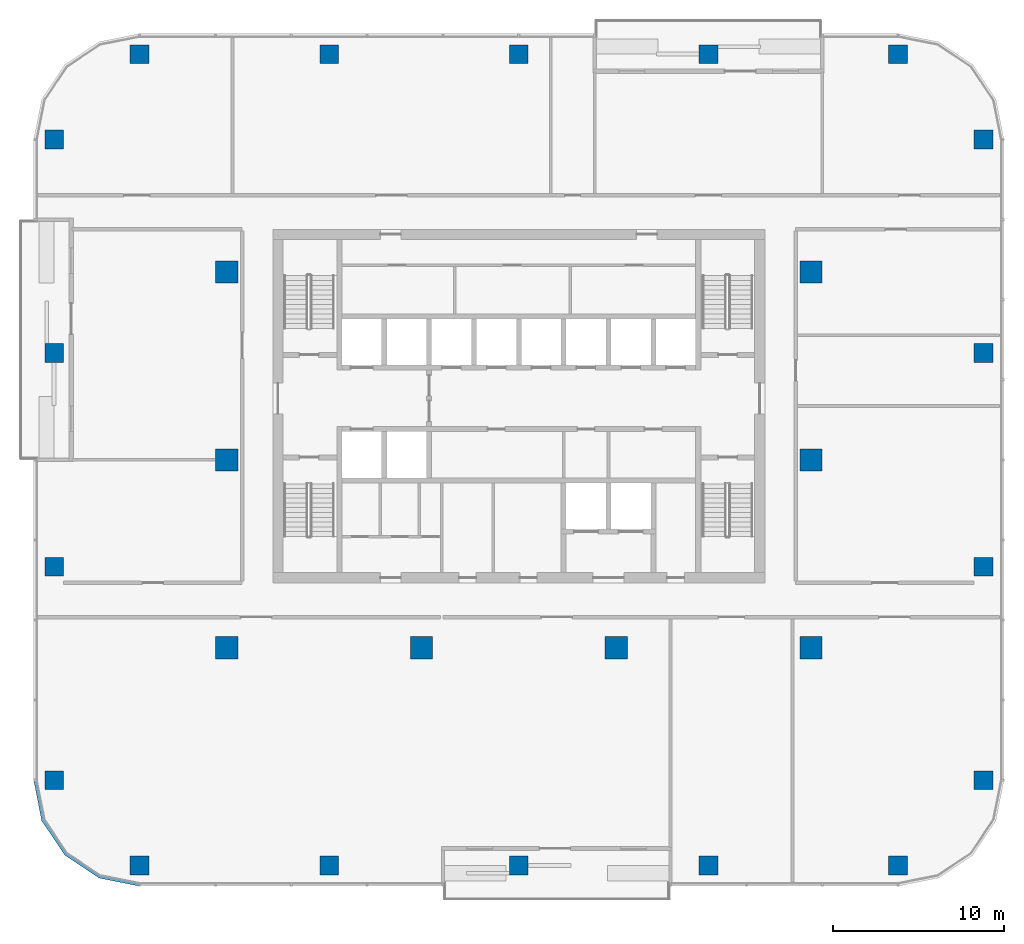
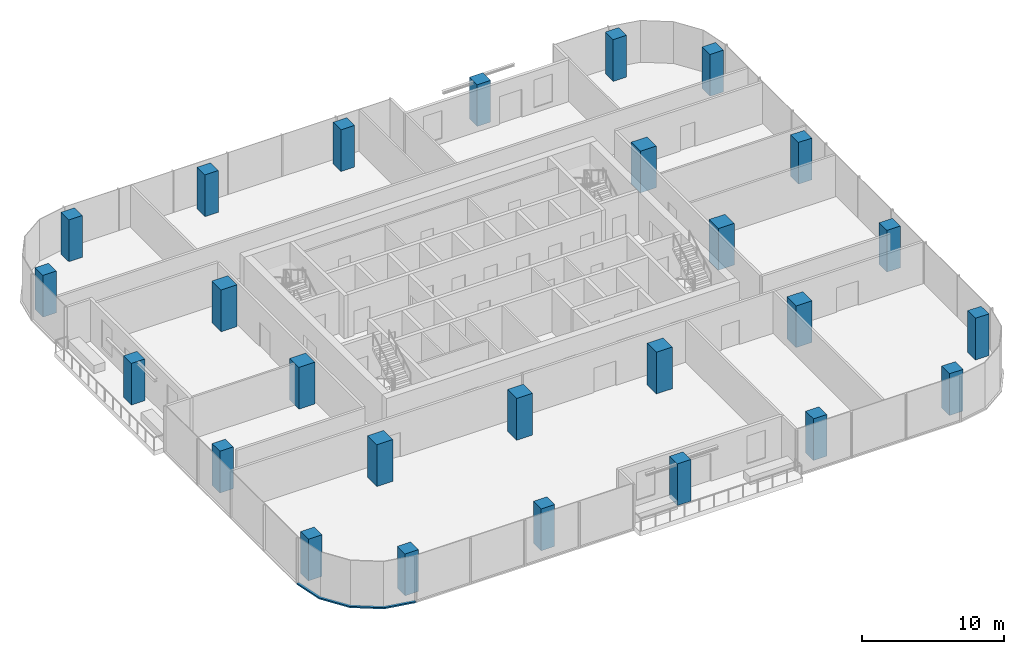
# One storey, part 1 of 14: 26 columns, 1 member, 1 element without a shape of its own.
"""IFC4 building model written with IfcOpenShell, lengths in metres."""

from ifc_helpers import new_model, si_unit, direction, frame, origin, origin_2d, place, context, subcontext, project, spatial, polyline, rectangle, outline, extrude, material, material_profile, profile_set, type_object, element, aggregate, save


model = new_model("IFC4")

# Units and contexts
model_context = context("Model", 3, precision=1e-05, world=origin(), true_north=direction((0.0, 1.0)))
body_context = subcontext(model_context, "Body", "Model", "MODEL_VIEW")
ifc_project = project(units=[si_unit("LENGTHUNIT", "METRE"), si_unit("AREAUNIT", "SQUARE_METRE"), si_unit("VOLUMEUNIT", "CUBIC_METRE"), si_unit("PLANEANGLEUNIT", "RADIAN"), si_unit("MASSUNIT", "GRAM", prefix="KILO")], contexts=[model_context])

# Site, building, storey
site_placement = place(None, origin())
site = spatial("IfcSite", under=ifc_project, at=site_placement, CompositionType="ELEMENT")
building_placement = place(site_placement, origin())
building = spatial("IfcBuilding", under=site, at=building_placement, Name="Mopane Tessera Tower", CompositionType="ELEMENT")
storey_placement = place(building_placement, frame((0.0, 0.0, 251.0)))
storey = spatial("IfcBuildingStorey", under=building, at=storey_placement, Name="L54", CompositionType="ELEMENT", Elevation=251.0)

# Columns
ifc_material_1 = material(Name="Concrete C50/60", Category="concrete")
ifc_material_profile_1 = material_profile(ifc_material_1, rectangle(XDim=1.300048828125, YDim=1.300048828125, at=origin_2d()))
ifc_profile_set_1 = profile_set([ifc_material_profile_1], Name="Concrete C50/60")
column_type_1 = type_object("IfcColumnType", Name="Interior column 1300 x 1300 C50/60", PredefinedType="COLUMN", material=ifc_profile_set_1)
for number, where, z_axis, x_axis, name in (
    (1, (-17.10009765625, -11.0, 0.0), (0.0, 0.0, 1.0), (1.0, 0.0, 0.0), "Interior column I1A L54"),
    (2, (-17.10009765625, 0.0, 0.0), (0.0, 0.0, 1.0), (1.0, 0.0, 0.0), "Interior column I1B L54"),
    (3, (-17.10009765625, 11.0, 0.0), (0.0, 0.0, 1.0), (1.0, 0.0, 0.0), "Interior column I1C L54"),
    (4, (-5.699951171875, -11.0, 0.0), (0.0, 0.0, 1.0), (1.0, 0.0, 0.0), "Interior column I2A L54"),
    (5, (5.699951171875, -11.0, 0.0), (0.0, 0.0, 1.0), (1.0, 0.0, 0.0), "Interior column I3A L54"),
    (6, (17.10009765625, -11.0, 0.0), (0.0, 0.0, 1.0), (1.0, 0.0, 0.0), "Interior column I4A L54"),
    (7, (17.10009765625, 0.0, 0.0), (0.0, 0.0, 1.0), (1.0, 0.0, 0.0), "Interior column I4B L54"),
    (8, (17.10009765625, 11.0, 0.0), (0.0, 0.0, 1.0), (1.0, 0.0, 0.0), "Interior column I4C L54"),
):
    element("IfcColumn", number, at=place(storey_placement, frame(where, z_axis=z_axis, x_axis=x_axis)), inside=storey, type_object=column_type_1, Name=name, PredefinedType="COLUMN", context=body_context, shape_type="SweptSolid", body=[
        extrude(rectangle(XDim=1.300048828125, YDim=1.300048828125, at=origin_2d()), origin(), (0.0, 0.0, 1.0), 3.60009765625),
    ])
ifc_material_2 = material(Name="Concrete C50/60", Category="concrete")
ifc_material_profile_2 = material_profile(ifc_material_2, rectangle(XDim=1.10009765625, YDim=1.10009765625, at=origin_2d()))
ifc_profile_set_2 = profile_set([ifc_material_profile_2], Name="Concrete C50/60")
column_type_2 = type_object("IfcColumnType", Name="Ring column 1100 x 1100 C50/60", PredefinedType="COLUMN", material=ifc_profile_set_2)
for number, where, z_axis, x_axis, name in (
    (9, (-22.199951171875, -23.75, 0.0), (0.0, 0.0, 1.0), (1.0, 0.0, 0.0), "Ring column S0 L54"),
    (10, (-11.10009765625, -23.75, 0.0), (0.0, 0.0, 1.0), (1.0, 0.0, 0.0), "Ring column S1 L54"),
    (11, (0.0, -23.75, 0.0), (0.0, 0.0, 1.0), (1.0, 0.0, 0.0), "Ring column S2 L54"),
    (12, (11.10009765625, -23.75, 0.0), (0.0, 0.0, 1.0), (1.0, 0.0, 0.0), "Ring column S3 L54"),
    (13, (22.199951171875, -23.75, 0.0), (0.0, 0.0, 1.0), (1.0, 0.0, 0.0), "Ring column S4 L54"),
    (14, (27.199951171875, -18.75, 0.0), (0.0, 0.0, 1.0), (1.0, 0.0, 0.0), "Ring column E0 L54"),
    (15, (27.199951171875, -6.25, 0.0), (0.0, 0.0, 1.0), (1.0, 0.0, 0.0), "Ring column E1 L54"),
    (16, (27.199951171875, 6.25, 0.0), (0.0, 0.0, 1.0), (1.0, 0.0, 0.0), "Ring column E2 L54"),
    (17, (27.199951171875, 18.75, 0.0), (0.0, 0.0, 1.0), (1.0, 0.0, 0.0), "Ring column E3 L54"),
    (18, (22.199951171875, 23.75, 0.0), (0.0, 0.0, 1.0), (1.0, 0.0, 0.0), "Ring column N0 L54"),
    (19, (11.10009765625, 23.75, 0.0), (0.0, 0.0, 1.0), (1.0, 0.0, 0.0), "Ring column N1 L54"),
    (20, (0.0, 23.75, 0.0), (0.0, 0.0, 1.0), (1.0, 0.0, 0.0), "Ring column N2 L54"),
    (21, (-11.10009765625, 23.75, 0.0), (0.0, 0.0, 1.0), (1.0, 0.0, 0.0), "Ring column N3 L54"),
    (22, (-22.199951171875, 23.75, 0.0), (0.0, 0.0, 1.0), (1.0, 0.0, 0.0), "Ring column N4 L54"),
    (23, (-27.199951171875, 18.75, 0.0), (0.0, 0.0, 1.0), (1.0, 0.0, 0.0), "Ring column W0 L54"),
    (24, (-27.199951171875, 6.25, 0.0), (0.0, 0.0, 1.0), (1.0, 0.0, 0.0), "Ring column W1 L54"),
    (25, (-27.199951171875, -6.25, 0.0), (0.0, 0.0, 1.0), (1.0, 0.0, 0.0), "Ring column W2 L54"),
    (26, (-27.199951171875, -18.75, 0.0), (0.0, 0.0, 1.0), (1.0, 0.0, 0.0), "Ring column W3 L54"),
):
    element("IfcColumn", number, at=place(storey_placement, frame(where, z_axis=z_axis, x_axis=x_axis)), inside=storey, type_object=column_type_2, Name=name, PredefinedType="COLUMN", context=body_context, shape_type="SweptSolid", body=[
        extrude(rectangle(XDim=1.10009765625, YDim=1.10009765625, at=origin_2d()), origin(), (0.0, 0.0, 1.0), 3.60009765625),
    ])

# Curtain wall, member
ifc_material_3 = material(Name="Aluminium frame", Category="aluminium")
curtain_wall_type = type_object("IfcCurtainWallType", Name="Unitised curtain wall", PredefinedType="NOTDEFINED", material=ifc_material_3)
curtain_wall_placement = place(storey_placement, origin())
curtain_wall = element("IfcCurtainWall", 27, at=curtain_wall_placement, inside=storey, type_object=curtain_wall_type, Name="e:cw:L54:CW", PredefinedType="NOTDEFINED")
ifc_material_4 = material(Name="Aluminium frame", Category="aluminium")
ifc_material_profile_3 = material_profile(ifc_material_4, rectangle(XDim=0.199951171875, YDim=0.1201171875, at=origin_2d()))
ifc_profile_set_3 = profile_set([ifc_material_profile_3], Name="Aluminium frame")
member_type = type_object("IfcMemberType", Name="Aluminium transom 200 x 120", PredefinedType="USERDEFINED", material=ifc_profile_set_3)
member_placement = place(storey_placement, frame((0.0, 0.0, -0.39990234375)))
member = element("IfcMember", 28, at=member_placement, type_object=member_type, Name="e:cw:L54:CW:tr", ObjectType="TRANSOM", PredefinedType="USERDEFINED", context=body_context, shape_type="SweptSolid", body=[
    extrude(outline(polyline([(-28.199951171875, -18.75), (-27.7431640625, -21.046142578125), (-26.442626953125, -22.99267578125), (-24.49609375, -24.293212890625), (-22.199951171875, -24.75), (-22.199951171875, -24.949951171875), (-24.57275390625, -24.47802734375), (-26.583984375, -23.134033203125), (-27.927978515625, -21.12255859375), (-28.39990234375, -18.75), (-28.199951171875, -18.75)])), origin(), (0.0, 0.0, 1.0), 0.119873046875),
])
aggregate(curtain_wall, [member])

save(model, "model.ifc")
